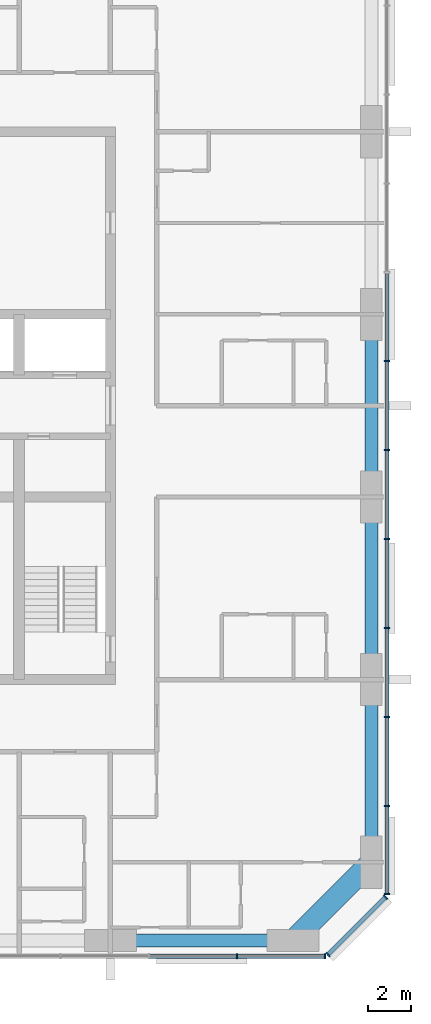
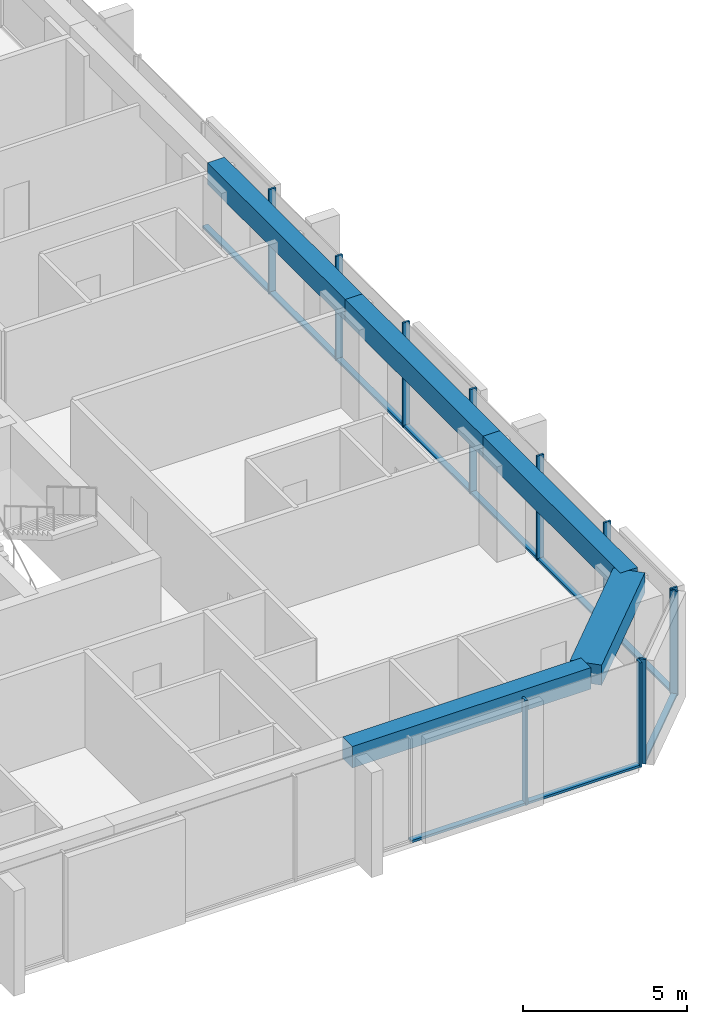
# One storey, part 3 of 12: 21 members, 5 beams, 3 elements without a shape of their own.
"""IFC4 building model written with IfcOpenShell, lengths in metres."""

from ifc_helpers import new_model, si_unit, direction, frame, origin, origin_2d, place, context, subcontext, project, spatial, rectangle, extrude, material, material_profile, profile_set, type_object, element, aggregate, save


model = new_model("IFC4")

# Units and contexts
model_context = context("Model", 3, precision=1e-05, world=origin(), true_north=direction((0.0, 1.0)))
body_context = subcontext(model_context, "Body", "Model", "MODEL_VIEW")
ifc_project = project(units=[si_unit("LENGTHUNIT", "METRE"), si_unit("AREAUNIT", "SQUARE_METRE"), si_unit("VOLUMEUNIT", "CUBIC_METRE"), si_unit("PLANEANGLEUNIT", "RADIAN"), si_unit("MASSUNIT", "GRAM", prefix="KILO")], contexts=[model_context])

# Site, building, storey
site_placement = place(None, origin())
site = spatial("IfcSite", under=ifc_project, at=site_placement, CompositionType="ELEMENT")
building_placement = place(site_placement, origin())
building = spatial("IfcBuilding", under=site, at=building_placement, Name="Dunama Terrace Hotel", CompositionType="ELEMENT")
storey_placement = place(building_placement, frame((0.0, 0.0, 249.0)))
storey = spatial("IfcBuildingStorey", under=building, at=storey_placement, Name="L64", CompositionType="ELEMENT", Elevation=249.0)

# Curtain wall, members
ifc_material_1 = material(Name="Aluminium curtain wall system", Category="aluminium")
curtain_wall_type = type_object("IfcCurtainWallType", Name="Unitised fritted glass wall CW-D", PredefinedType="NOTDEFINED", material=ifc_material_1)
curtain_wall_1_placement = place(storey_placement, origin())
curtain_wall_1 = element("IfcCurtainWall", 1, at=curtain_wall_1_placement, inside=storey, type_object=curtain_wall_type, Name="Unitised fritted glass wall CW-D L64", PredefinedType="NOTDEFINED")
ifc_material_2 = material(Name="Aluminium mullion", Category="aluminium")
ifc_material_profile_1 = material_profile(ifc_material_2, rectangle(XDim=0.070068359375, YDim=0.239990234375, at=origin_2d()), Name="CWD MULLION 70X240")
ifc_profile_set_1 = profile_set([ifc_material_profile_1], Name="Aluminium mullion")
member_type_1 = type_object("IfcMemberType", Name="CWD mullion 70x240", PredefinedType="MULLION", material=ifc_profile_set_1)
member_1_placement = place(storey_placement, frame((47.8330078125, 4.080078125, 0.0), z_axis=(0.0, 0.0, 1.0), x_axis=(1.0, 0.0, 0.0)))
member_1 = element("IfcMember", 2, at=member_1_placement, type_object=member_type_1, Name="CWD mullion", PredefinedType="MULLION", context=body_context, shape_type="SweptSolid", body=[
    extrude(rectangle(XDim=0.070068359375, YDim=0.239990234375, at=origin_2d()), origin(), (0.0, 0.0, 1.0), 3.89990234375),
])
member_2_placement = place(storey_placement, frame((51.864990234375, 4.080078125, 0.0), z_axis=(0.0, 0.0, 1.0), x_axis=(1.0, 0.0, 0.0)))
member_2 = element("IfcMember", 3, at=member_2_placement, type_object=member_type_1, Name="CWD mullion", PredefinedType="MULLION", context=body_context, shape_type="SweptSolid", body=[
    extrude(rectangle(XDim=0.070068359375, YDim=0.239990234375, at=origin_2d()), origin(), (0.0, 0.0, 1.0), 3.89990234375),
])

curtain_wall_2_placement = place(storey_placement, origin())
curtain_wall_2 = element("IfcCurtainWall", 4, at=curtain_wall_2_placement, inside=storey, type_object=curtain_wall_type, Name="Unitised fritted glass wall CW-D L64", PredefinedType="NOTDEFINED")
member_3_placement = place(storey_placement, frame((52.010009765625, 4.139892578125, 0.0), z_axis=(0.0, 0.0, 1.0), x_axis=(0.707106781187, 0.707106781187, 0.0)))
member_3 = element("IfcMember", 5, at=member_3_placement, type_object=member_type_1, Name="CWD mullion", PredefinedType="MULLION", context=body_context, shape_type="SweptSolid", body=[
    extrude(rectangle(XDim=0.070068359375, YDim=0.239990234375, at=origin_2d()), origin(), (0.0, 0.0, 1.0), 3.89990234375),
])
member_4_placement = place(storey_placement, frame((54.659912109375, 6.7900390625, 0.0), z_axis=(0.0, 0.0, 1.0), x_axis=(0.707106781187, 0.707106781187, 0.0)))
member_4 = element("IfcMember", 6, at=member_4_placement, type_object=member_type_1, Name="CWD mullion", PredefinedType="MULLION", context=body_context, shape_type="SweptSolid", body=[
    extrude(rectangle(XDim=0.070068359375, YDim=0.239990234375, at=origin_2d()), origin(), (0.0, 0.0, 1.0), 3.89990234375),
])

curtain_wall_3_placement = place(storey_placement, origin())
curtain_wall_3 = element("IfcCurtainWall", 7, at=curtain_wall_3_placement, inside=storey, type_object=curtain_wall_type, Name="Unitised fritted glass wall CW-D L64", PredefinedType="NOTDEFINED")
member_5_placement = place(storey_placement, frame((54.719970703125, 6.93505859375, 0.0), z_axis=(0.0, 0.0, 1.0), x_axis=(0.0, 1.0, 0.0)))
member_5 = element("IfcMember", 8, at=member_5_placement, type_object=member_type_1, Name="CWD mullion", PredefinedType="MULLION", context=body_context, shape_type="SweptSolid", body=[
    extrude(rectangle(XDim=0.070068359375, YDim=0.239990234375, at=origin_2d()), origin(), (0.0, 0.0, 1.0), 3.89990234375),
])
member_6_placement = place(storey_placement, frame((54.719970703125, 10.990966796875, 0.0), z_axis=(0.0, 0.0, 1.0), x_axis=(0.0, 1.0, 0.0)))
member_6 = element("IfcMember", 9, at=member_6_placement, type_object=member_type_1, Name="CWD mullion", PredefinedType="MULLION", context=body_context, shape_type="SweptSolid", body=[
    extrude(rectangle(XDim=0.070068359375, YDim=0.239990234375, at=origin_2d()), origin(), (0.0, 0.0, 1.0), 3.89990234375),
])
member_7_placement = place(storey_placement, frame((54.719970703125, 15.08203125, 0.0), z_axis=(0.0, 0.0, 1.0), x_axis=(0.0, 1.0, 0.0)))
member_7 = element("IfcMember", 10, at=member_7_placement, type_object=member_type_1, Name="CWD mullion", PredefinedType="MULLION", context=body_context, shape_type="SweptSolid", body=[
    extrude(rectangle(XDim=0.070068359375, YDim=0.239990234375, at=origin_2d()), origin(), (0.0, 0.0, 1.0), 3.89990234375),
])
member_8_placement = place(storey_placement, frame((54.719970703125, 19.173095703125, 0.0), z_axis=(0.0, 0.0, 1.0), x_axis=(0.0, 1.0, 0.0)))
member_8 = element("IfcMember", 11, at=member_8_placement, type_object=member_type_1, Name="CWD mullion", PredefinedType="MULLION", context=body_context, shape_type="SweptSolid", body=[
    extrude(rectangle(XDim=0.070068359375, YDim=0.239990234375, at=origin_2d()), origin(), (0.0, 0.0, 1.0), 3.89990234375),
])
member_9_placement = place(storey_placement, frame((54.719970703125, 23.263916015625, 0.0), z_axis=(0.0, 0.0, 1.0), x_axis=(0.0, 1.0, 0.0)))
member_9 = element("IfcMember", 12, at=member_9_placement, type_object=member_type_1, Name="CWD mullion", PredefinedType="MULLION", context=body_context, shape_type="SweptSolid", body=[
    extrude(rectangle(XDim=0.070068359375, YDim=0.239990234375, at=origin_2d()), origin(), (0.0, 0.0, 1.0), 3.89990234375),
])
member_10_placement = place(storey_placement, frame((54.719970703125, 27.35498046875, 0.0), z_axis=(0.0, 0.0, 1.0), x_axis=(0.0, 1.0, 0.0)))
member_10 = element("IfcMember", 13, at=member_10_placement, type_object=member_type_1, Name="CWD mullion", PredefinedType="MULLION", context=body_context, shape_type="SweptSolid", body=[
    extrude(rectangle(XDim=0.070068359375, YDim=0.239990234375, at=origin_2d()), origin(), (0.0, 0.0, 1.0), 3.89990234375),
])
member_11_placement = place(storey_placement, frame((54.719970703125, 31.445068359375, 0.0), z_axis=(0.0, 0.0, 1.0), x_axis=(0.0, 1.0, 0.0)))
member_11 = element("IfcMember", 14, at=member_11_placement, type_object=member_type_1, Name="CWD mullion", PredefinedType="MULLION", context=body_context, shape_type="SweptSolid", body=[
    extrude(rectangle(XDim=0.070068359375, YDim=0.239990234375, at=origin_2d()), origin(), (0.0, 0.0, 1.0), 3.89990234375),
])

# Member
ifc_material_3 = material(Name="Aluminium transom", Category="aluminium")
ifc_material_profile_2 = material_profile(ifc_material_3, rectangle(XDim=0.199951171875, YDim=0.0849609375, at=origin_2d()), Name="CWD TRANSOM 200X85")
ifc_profile_set_2 = profile_set([ifc_material_profile_2], Name="Aluminium transom")
member_type_2 = type_object("IfcMemberType", Name="CWD transom 200x85", PredefinedType="USERDEFINED", material=ifc_profile_set_2)
member_12_placement = place(storey_placement, frame((43.802001953125, 4.080078125, 0.04248046875), z_axis=(1.0, 0.0, 0.0), x_axis=(0.0, 1.0, 0.0)))
member_12 = element("IfcMember", 15, at=member_12_placement, type_object=member_type_2, Name="CWD transom", ObjectType="TRANSOM", PredefinedType="USERDEFINED", context=body_context, shape_type="SweptSolid", body=[
    extrude(rectangle(XDim=0.199951171875, YDim=0.0849609375, at=origin_2d()), origin(), (0.0, 0.0, 1.0), 3.99609375),
])

member_13_placement = place(storey_placement, frame((47.867919921875, 4.080078125, 0.04248046875), z_axis=(1.0, 0.0, 0.0), x_axis=(0.0, 1.0, 0.0)))
member_13 = element("IfcMember", 16, at=member_13_placement, type_object=member_type_2, Name="CWD transom", ObjectType="TRANSOM", PredefinedType="USERDEFINED", context=body_context, shape_type="SweptSolid", body=[
    extrude(rectangle(XDim=0.199951171875, YDim=0.0849609375, at=origin_2d()), origin(), (0.0, 0.0, 1.0), 3.962158203125),
])

aggregate(curtain_wall_1, [member_1, member_2, member_12, member_13])

member_14_placement = place(storey_placement, frame((52.033935546875, 4.1650390625, 0.04248046875), z_axis=(0.707106781187, 0.707106781187, 0.0), x_axis=(-0.707106781187, 0.707106781187, 0.0)))
member_14 = element("IfcMember", 17, at=member_14_placement, type_object=member_type_2, Name="CWD transom", ObjectType="TRANSOM", PredefinedType="USERDEFINED", context=body_context, shape_type="SweptSolid", body=[
    extrude(rectangle(XDim=0.199951171875, YDim=0.0849609375, at=origin_2d()), origin(), (0.0, 0.0, 1.0), 3.678466796875),
])

aggregate(curtain_wall_2, [member_3, member_4, member_14])

member_15_placement = place(storey_placement, frame((54.719970703125, 6.969970703125, 0.04248046875), z_axis=(0.0, 1.0, 0.0), x_axis=(-1.0, 0.0, 0.0)))
member_15 = element("IfcMember", 18, at=member_15_placement, type_object=member_type_2, Name="CWD transom", ObjectType="TRANSOM", PredefinedType="USERDEFINED", context=body_context, shape_type="SweptSolid", body=[
    extrude(rectangle(XDim=0.199951171875, YDim=0.0849609375, at=origin_2d()), origin(), (0.0, 0.0, 1.0), 3.986083984375),
])

member_16_placement = place(storey_placement, frame((54.719970703125, 11.02587890625, 0.04248046875), z_axis=(0.0, 1.0, 0.0), x_axis=(-1.0, 0.0, 0.0)))
member_16 = element("IfcMember", 19, at=member_16_placement, type_object=member_type_2, Name="CWD transom", ObjectType="TRANSOM", PredefinedType="USERDEFINED", context=body_context, shape_type="SweptSolid", body=[
    extrude(rectangle(XDim=0.199951171875, YDim=0.0849609375, at=origin_2d()), origin(), (0.0, 0.0, 1.0), 4.021240234375),
])

member_17_placement = place(storey_placement, frame((54.719970703125, 15.116943359375, 0.04248046875), z_axis=(0.0, 1.0, 0.0), x_axis=(-1.0, 0.0, 0.0)))
member_17 = element("IfcMember", 20, at=member_17_placement, type_object=member_type_2, Name="CWD transom", ObjectType="TRANSOM", PredefinedType="USERDEFINED", context=body_context, shape_type="SweptSolid", body=[
    extrude(rectangle(XDim=0.199951171875, YDim=0.0849609375, at=origin_2d()), origin(), (0.0, 0.0, 1.0), 4.02099609375),
])

member_18_placement = place(storey_placement, frame((54.719970703125, 19.2080078125, 0.04248046875), z_axis=(0.0, 1.0, 0.0), x_axis=(-1.0, 0.0, 0.0)))
member_18 = element("IfcMember", 21, at=member_18_placement, type_object=member_type_2, Name="CWD transom", ObjectType="TRANSOM", PredefinedType="USERDEFINED", context=body_context, shape_type="SweptSolid", body=[
    extrude(rectangle(XDim=0.199951171875, YDim=0.0849609375, at=origin_2d()), origin(), (0.0, 0.0, 1.0), 4.02099609375),
])

member_19_placement = place(storey_placement, frame((54.719970703125, 23.299072265625, 0.04248046875), z_axis=(0.0, 1.0, 0.0), x_axis=(-1.0, 0.0, 0.0)))
member_19 = element("IfcMember", 22, at=member_19_placement, type_object=member_type_2, Name="CWD transom", ObjectType="TRANSOM", PredefinedType="USERDEFINED", context=body_context, shape_type="SweptSolid", body=[
    extrude(rectangle(XDim=0.199951171875, YDim=0.0849609375, at=origin_2d()), origin(), (0.0, 0.0, 1.0), 4.02099609375),
])

member_20_placement = place(storey_placement, frame((54.719970703125, 27.389892578125, 0.04248046875), z_axis=(0.0, 1.0, 0.0), x_axis=(-1.0, 0.0, 0.0)))
member_20 = element("IfcMember", 23, at=member_20_placement, type_object=member_type_2, Name="CWD transom", ObjectType="TRANSOM", PredefinedType="USERDEFINED", context=body_context, shape_type="SweptSolid", body=[
    extrude(rectangle(XDim=0.199951171875, YDim=0.0849609375, at=origin_2d()), origin(), (0.0, 0.0, 1.0), 4.02001953125),
])

member_21_placement = place(storey_placement, frame((54.719970703125, 31.47998046875, 0.04248046875), z_axis=(0.0, 1.0, 0.0), x_axis=(-1.0, 0.0, 0.0)))
member_21 = element("IfcMember", 24, at=member_21_placement, type_object=member_type_2, Name="CWD transom", ObjectType="TRANSOM", PredefinedType="USERDEFINED", context=body_context, shape_type="SweptSolid", body=[
    extrude(rectangle(XDim=0.199951171875, YDim=0.0849609375, at=origin_2d()), origin(), (0.0, 0.0, 1.0), 4.02099609375),
])

aggregate(curtain_wall_3, [member_5, member_6, member_7, member_8, member_9, member_10, member_11, member_15, member_16, member_17, member_18, member_19, member_20, member_21])

# Beams
ifc_material_4 = material(Name="Concrete C50/60", Category="concrete")
ifc_material_profile_3 = material_profile(ifc_material_4, rectangle(XDim=1.0, YDim=0.75, at=origin_2d()), Name="RC 1000x750")
ifc_profile_set_3 = profile_set([ifc_material_profile_3], Name="Concrete C50/60")
beam_type_1 = type_object("IfcBeamType", Name="Edge beam RC 1000x750", PredefinedType="SPANDREL", material=ifc_profile_set_3)
beam_1_placement = place(storey_placement, frame((50.39990234375, 4.800048828125, 3.52490234375), z_axis=(0.707130757816, 0.707082803744, 0.0), x_axis=(-0.707082803744, 0.707130757816, 0.0)))
element("IfcBeam", 25, at=beam_1_placement, inside=storey, type_object=beam_type_1, Name="Corner edge beam under L65", PredefinedType="SPANDREL", context=body_context, shape_type="SweptSolid", body=[
    extrude(rectangle(XDim=1.0, YDim=0.75, at=origin_2d()), origin(), (0.0, 0.0, 1.0), 5.091064453125),
])
ifc_material_5 = material(Name="Concrete C40/50", Category="concrete")
ifc_material_profile_4 = material_profile(ifc_material_5, rectangle(XDim=0.60009765625, YDim=0.800048828125, at=origin_2d()), Name="RC 600x800")
ifc_profile_set_4 = profile_set([ifc_material_profile_4], Name="Concrete C40/50")
beam_type_2 = type_object("IfcBeamType", Name="Edge beam RC 600x800", PredefinedType="SPANDREL", material=ifc_profile_set_4)
beam_2_placement = place(storey_placement, frame((54.0, 8.39990234375, 3.5), z_axis=(0.0, 1.0, 0.0), x_axis=(-1.0, 0.0, 0.0)))
element("IfcBeam", 26, at=beam_2_placement, inside=storey, type_object=beam_type_2, Name="Edge beam under L65", PredefinedType="SPANDREL", context=body_context, shape_type="SweptSolid", body=[
    extrude(rectangle(XDim=0.60009765625, YDim=0.800048828125, at=origin_2d()), origin(), (0.0, 0.0, 1.0), 8.400146484375),
])
beam_3_placement = place(storey_placement, frame((54.0, 16.800048828125, 3.5), z_axis=(0.0, 1.0, 0.0), x_axis=(-1.0, 0.0, 0.0)))
element("IfcBeam", 27, at=beam_3_placement, inside=storey, type_object=beam_type_2, Name="Edge beam under L65", PredefinedType="SPANDREL", context=body_context, shape_type="SweptSolid", body=[
    extrude(rectangle(XDim=0.60009765625, YDim=0.800048828125, at=origin_2d()), origin(), (0.0, 0.0, 1.0), 8.39990234375),
])
beam_4_placement = place(storey_placement, frame((54.0, 25.199951171875, 3.5), z_axis=(0.0, 1.0, 0.0), x_axis=(-1.0, 0.0, 0.0)))
element("IfcBeam", 28, at=beam_4_placement, inside=storey, type_object=beam_type_2, Name="Edge beam under L65", PredefinedType="SPANDREL", context=body_context, shape_type="SweptSolid", body=[
    extrude(rectangle(XDim=0.60009765625, YDim=0.800048828125, at=origin_2d()), origin(), (0.0, 0.0, 1.0), 8.400146484375),
])
beam_5_placement = place(storey_placement, frame((42.0, 4.800048828125, 3.5), z_axis=(1.0, 0.0, 0.0), x_axis=(0.0, 1.0, 0.0)))
element("IfcBeam", 29, at=beam_5_placement, inside=storey, type_object=beam_type_2, Name="Edge beam under L65", PredefinedType="SPANDREL", context=body_context, shape_type="SweptSolid", body=[
    extrude(rectangle(XDim=0.60009765625, YDim=0.800048828125, at=origin_2d()), origin(), (0.0, 0.0, 1.0), 8.39990234375),
])

save(model, "model.ifc")
